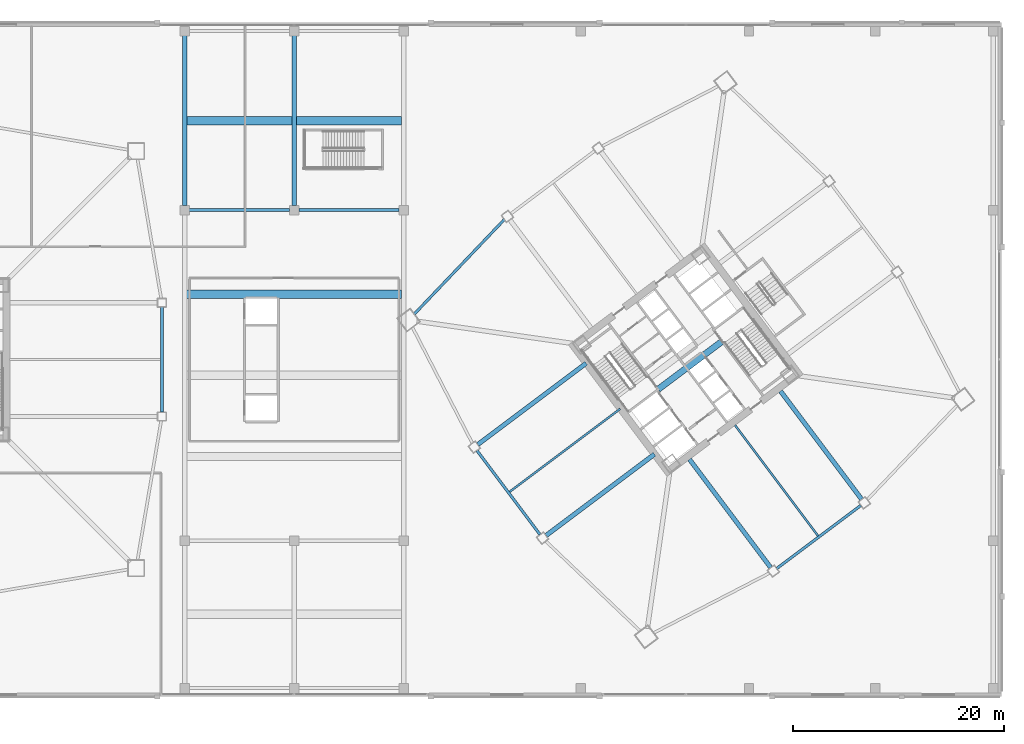
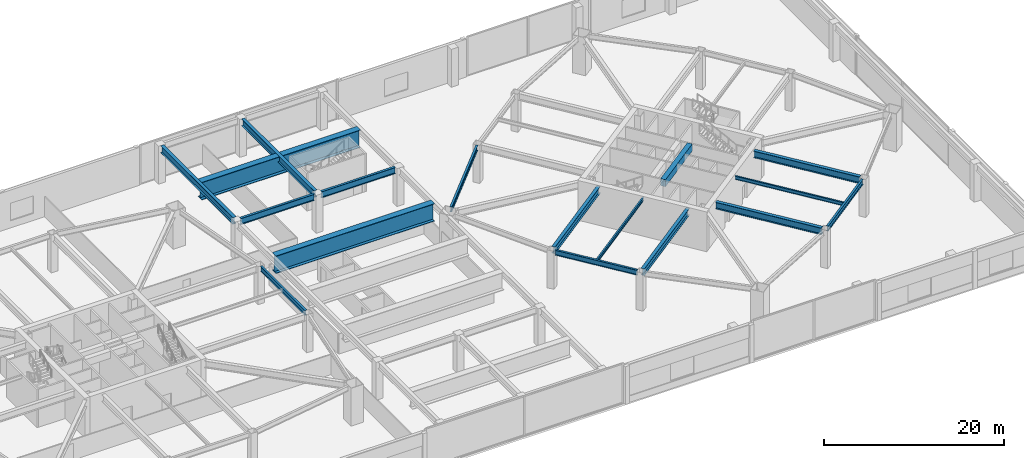
# One storey, part 21 of 48: 17 beams.
"""IFC4 building model written with IfcOpenShell, lengths in metres."""

import ifcopenshell
import ifcopenshell.guid

model = None  # the IFC model being written
_history = None  # IfcOwnerHistory: only IFC2X3 demands one
_inside = {}  # id of a spatial element -> (the spatial element, [elements in it])
_under = {}  # id of a project, library or spatial element -> (it, [spatial elements below it])
_declared = {}  # id of a project -> (the project, [libraries it declares])
_typed = {}  # id of a type object -> (the type object, [elements of that type])
_made_of = {}  # id of a material, layer set ... -> (it, [elements and type objects made of it])


def new_model(schema):
    """Start an empty IFC model of exactly this schema.

    Asked for "IFC4X3", IfcOpenShell would pick the latest addendum, in which some entities
    have other attributes; the version numbers below select the first issue.
    IFC2X3 requires an IfcOwnerHistory on every rooted entity: one is made here for all.
    """
    global model, _history
    if schema == "IFC4X3":
        model = ifcopenshell.file(schema_version=(4, 3, 0, 0))
    else:
        model = ifcopenshell.file(schema=schema)
    _inside.clear()
    _under.clear()
    _declared.clear()
    _typed.clear()
    _made_of.clear()
    _history = None
    if model.schema == "IFC2X3":
        org = make("IfcOrganization", Name="unknown")
        user = make(
            "IfcPersonAndOrganization",
            ThePerson=make("IfcPerson", FamilyName="unknown"),
            TheOrganization=org,
        )
        app = make(
            "IfcApplication",
            ApplicationDeveloper=org,
            Version="unknown",
            ApplicationFullName="unknown",
            ApplicationIdentifier="unknown",
        )
        _history = make(
            "IfcOwnerHistory",
            OwningUser=user,
            OwningApplication=app,
            ChangeAction="ADDED",
            CreationDate=0,
        )
    return model


def make(cls, **values):
    """One entity of the class cls with the attributes given. An attribute that is None is left unset."""
    return model.create_entity(
        cls, **{name: value for name, value in values.items() if value is not None}
    )


def rooted(cls, **values):
    """An entity with a GlobalId (a new one), such as an element, a storey or a relation."""
    return make(cls, GlobalId=ifcopenshell.guid.new(), OwnerHistory=_history, **values)


def si_unit(unit_type, name, prefix=None):
    """IfcSIUnit, for example si_unit("LENGTHUNIT", "METRE", prefix="MILLI")."""
    return make("IfcSIUnit", UnitType=unit_type, Prefix=prefix, Name=name)


def assignment(units):
    """IfcUnitAssignment: the units of a project."""
    return None if units is None else make("IfcUnitAssignment", Units=units)


def point(xyz):
    """IfcCartesianPoint."""
    return None if xyz is None else make("IfcCartesianPoint", Coordinates=xyz)


def direction(xyz):
    """IfcDirection."""
    return None if xyz is None else make("IfcDirection", DirectionRatios=xyz)


def frame(location, z_axis=None, x_axis=None):
    """IfcAxis2Placement3D, a coordinate frame: its origin and axes. An axis left out is left unset."""
    return make(
        "IfcAxis2Placement3D",
        Location=point(location),
        Axis=direction(z_axis),
        RefDirection=direction(x_axis),
    )


def frame_2d(location, x_axis=None):
    """IfcAxis2Placement2D, a coordinate frame in the plane: its origin and x axis."""
    return make(
        "IfcAxis2Placement2D", Location=point(location), RefDirection=direction(x_axis)
    )


def origin():
    """The frame at (0, 0, 0) with its axes left unset."""
    return frame((0.0, 0.0, 0.0))


def origin_2d():
    """The frame at (0, 0) in the plane with its x axis left unset."""
    return frame_2d((0.0, 0.0))


def place(relative_to, where):
    """IfcLocalPlacement: puts the frame where relative to a parent placement (None: the world)."""
    return make(
        "IfcLocalPlacement", PlacementRelTo=relative_to, RelativePlacement=where
    )


def context(
    kind, dimensions, precision=None, world=None, true_north=None, identifier=None
):
    """IfcGeometricRepresentationContext, for example the 3D "Model" context."""
    return make(
        "IfcGeometricRepresentationContext",
        ContextIdentifier=identifier,
        ContextType=kind,
        CoordinateSpaceDimension=dimensions,
        Precision=precision,
        WorldCoordinateSystem=world,
        TrueNorth=true_north,
    )


def subcontext(parent, identifier, kind, view, scale=None):
    """IfcGeometricRepresentationSubContext, for example "Body" below "Model"."""
    return make(
        "IfcGeometricRepresentationSubContext",
        ContextIdentifier=identifier,
        ContextType=kind,
        ParentContext=parent,
        TargetScale=scale,
        TargetView=view,
    )


def project(units=None, contexts=None):
    """IfcProject with its units and contexts."""
    return rooted(
        "IfcProject",
        Name="project",
        RepresentationContexts=contexts,
        UnitsInContext=assignment(units),
    )


def spatial(cls, under=None, at=None, **own):
    """A site, building, storey or space (cls), placed at a placement, below another one or the project."""
    s = rooted(cls, ObjectPlacement=at, **own)
    if under is not None:
        _under.setdefault(under.id(), (under, []))[1].append(s)
    return s


def profile(cls, at=None, kind="AREA", **sizes):
    """A parametric profile (cls). Its sizes go by their IFC names, for example OverallWidth=200.0."""
    return make(cls, ProfileType=kind, Position=at, **sizes)


def rectangle(**sizes):
    """IfcRectangleProfileDef."""
    return profile("IfcRectangleProfileDef", **sizes)


def i_section(**sizes):
    """IfcIShapeProfileDef."""
    return profile("IfcIShapeProfileDef", **sizes)


def extrude(swept, where, along, depth):
    """IfcExtrudedAreaSolid: the profile swept, set in the frame where, extruded along a direction by depth."""
    return make(
        "IfcExtrudedAreaSolid",
        SweptArea=swept,
        Position=where,
        ExtrudedDirection=direction(along),
        Depth=depth,
    )


def shape(context_of_items, identifier, shape_type, items):
    """IfcShapeRepresentation: the items that make up one representation, for example the "Body"."""
    return make(
        "IfcShapeRepresentation",
        ContextOfItems=context_of_items,
        RepresentationIdentifier=identifier,
        RepresentationType=shape_type,
        Items=items,
    )


def material(Name=None, Category=None):
    """IfcMaterial."""
    return make("IfcMaterial", Name=Name, Category=Category)


def material_profile(
    of_material, cross_section, Name=None, Category=None, Priority=None
):
    """IfcMaterialProfile: a cross section and its material."""
    return make(
        "IfcMaterialProfile",
        Name=Name,
        Material=of_material,
        Profile=cross_section,
        Priority=Priority,
        Category=Category,
    )


def profile_set(profiles, Name=None, composite=None):
    """IfcMaterialProfileSet."""
    return make(
        "IfcMaterialProfileSet",
        Name=Name,
        MaterialProfiles=profiles,
        CompositeProfile=composite,
    )


def made_of(thing, what):
    """Note that an element or type object is made of a material, layer set ...; save() writes the relation."""
    if what is not None:
        _made_of.setdefault(what.id(), (what, []))[1].append(thing)
    return thing


def type_object(cls, material=None, **own):
    """A type object (cls), such as IfcWallType, which elements share."""
    return made_of(rooted(cls, **own), material)


def element(
    cls,
    number,
    at=None,
    inside=None,
    cuts=None,
    type_object=None,
    material=None,
    context=None,
    identifier="Body",
    shape_type=None,
    held_by="IfcProductDefinitionShape",
    body=None,
    shapes=None,
    **own,
):
    """One element of the class cls, such as IfcWall. Its Tag is "e" and its number.

    at: its placement. inside: the storey or other place that contains it. cuts: it is an
    opening in that element (IfcRelVoidsElement). A single representation is given by context,
    identifier, shape_type and body (its items); several are given by shapes. held_by: the class
    of the entity that holds the representations. save() writes the other relations.
    """
    e = rooted(cls, Tag="e%d" % number, ObjectPlacement=at, **own)
    if body is not None:
        shapes = [shape(context, identifier, shape_type, body)]
    if shapes is not None:
        e.Representation = make(held_by, Representations=shapes)
    if inside is not None:
        _inside.setdefault(inside.id(), (inside, []))[1].append(e)
    if cuts is not None:
        rooted(
            "IfcRelVoidsElement", RelatingBuildingElement=cuts, RelatedOpeningElement=e
        )
    if type_object is not None:
        _typed.setdefault(type_object.id(), (type_object, []))[1].append(e)
    return made_of(e, material)


def aggregate(whole, parts):
    """IfcRelAggregates: a whole, such as a stair, and the parts it consists of."""
    return rooted("IfcRelAggregates", RelatingObject=whole, RelatedObjects=parts)


def save(model, path):
    """Write the relations noted so far, then the file.

    IfcRelAggregates (storeys below a building ...), IfcRelContainedInSpatialStructure (elements
    in a storey), IfcRelDefinesByType, IfcRelAssociatesMaterial and IfcRelDeclares: one each for
    every whole, place, type object, material and project.
    """
    for whole, parts in _under.values():
        aggregate(whole, parts)
    for where, things in _inside.values():
        rooted(
            "IfcRelContainedInSpatialStructure",
            RelatedElements=things,
            RelatingStructure=where,
        )
    for kind, things in _typed.values():
        rooted("IfcRelDefinesByType", RelatedObjects=things, RelatingType=kind)
    for what, things in _made_of.values():
        rooted("IfcRelAssociatesMaterial", RelatedObjects=things, RelatingMaterial=what)
    for by, libraries in _declared.values():
        rooted("IfcRelDeclares", RelatingContext=by, RelatedDefinitions=libraries)
    model.write(path)


model = new_model("IFC4")

# Units and contexts
model_context = context("Model", 3, precision=1e-05, world=origin(), true_north=direction((0.0, 1.0)))
body_context = subcontext(model_context, "Body", "Model", "MODEL_VIEW")
ifc_project = project(units=[si_unit("LENGTHUNIT", "METRE"), si_unit("AREAUNIT", "SQUARE_METRE"), si_unit("VOLUMEUNIT", "CUBIC_METRE"), si_unit("PLANEANGLEUNIT", "RADIAN"), si_unit("MASSUNIT", "GRAM", prefix="KILO")], contexts=[model_context])

# Site, building, storey
site_placement = place(None, origin())
site = spatial("IfcSite", under=ifc_project, at=site_placement, CompositionType="ELEMENT")
building_placement = place(site_placement, origin())
building = spatial("IfcBuilding", under=site, at=building_placement, Name="Tashvorn Skyway Center", CompositionType="ELEMENT")
storey_placement = place(building_placement, frame((0.0, 0.0, 10.199951171875)))
storey = spatial("IfcBuildingStorey", under=building, at=storey_placement, Name="L02", CompositionType="ELEMENT", Elevation=10.199951171875)

# Beams
ifc_material_1 = material(Name="Steel ASTM A572 Grade 50", Category="steel")
ifc_material_profile_1 = material_profile(ifc_material_1, i_section(OverallWidth=0.800048828125, OverallDepth=2.39990234375, WebThickness=0.035888671875, FlangeThickness=0.06005859375, at=origin_2d()), Name="PG2400x800")
ifc_profile_set_1 = profile_set([ifc_material_profile_1], Name="Steel ASTM A572 Grade 50")
beam_type_1 = type_object("IfcBeamType", Name="BM-BEAM-PG2400x800", PredefinedType="BEAM", material=ifc_profile_set_1)
for number, where, z_axis, x_axis, name in (
    (1, (66.6015625, 38.199951171875, 3.93994140625), (1.0, 0.0, 0.0), (0.0, 1.0, 0.0), "L02 Central Concourse Span Girder 06"),
    (2, (66.6015625, 54.699951171875, 3.93994140625), (1.0, 0.0, 0.0), (0.0, 1.0, 0.0), "L02 Central Concourse Span Girder 08"),
):
    element("IfcBeam", number, at=place(storey_placement, frame(where, z_axis=z_axis, x_axis=x_axis)), inside=storey, type_object=beam_type_1, Name=name, PredefinedType="BEAM", context=body_context, shape_type="SweptSolid", body=[
        extrude(i_section(OverallWidth=0.800048828125, OverallDepth=2.39990234375, WebThickness=0.035888671875, FlangeThickness=0.06005859375, at=origin_2d()), origin(), (0.0, 0.0, 1.0), 20.39697265625),
    ])
ifc_material_2 = material(Name="Steel ASTM A992 Grade 50", Category="steel")
ifc_material_profile_2 = material_profile(ifc_material_2, i_section(OverallWidth=0.2919921875, OverallDepth=0.85888671875, WebThickness=0.01708984375, FlangeThickness=0.031005859375, at=origin_2d()), Name="W33X169")
ifc_profile_set_2 = profile_set([ifc_material_profile_2], Name="Steel ASTM A992 Grade 50")
beam_type_2 = type_object("IfcBeamType", Name="BM-BEAM-W33X169", PredefinedType="BEAM", material=ifc_profile_set_2)
beam_1_placement = place(storey_placement, frame((66.844970703125, 46.199951171875, 4.71044921875), z_axis=(1.0, 0.0, 0.0), x_axis=(0.0, 1.0, 0.0)))
element("IfcBeam", 3, at=beam_1_placement, inside=storey, type_object=beam_type_2, Name="L02 Central Podium Girder A 07", PredefinedType="BEAM", context=body_context, shape_type="SweptSolid", body=[
    extrude(i_section(OverallWidth=0.2919921875, OverallDepth=0.85888671875, WebThickness=0.01708984375, FlangeThickness=0.031005859375, at=origin_2d()), origin(), (0.0, 0.0, 1.0), 9.510009765625),
])
beam_2_placement = place(storey_placement, frame((77.2451171875, 46.199951171875, 4.71044921875), z_axis=(1.0, 0.0, 0.0), x_axis=(0.0, 1.0, 0.0)))
element("IfcBeam", 4, at=beam_2_placement, inside=storey, type_object=beam_type_2, Name="L02 Central Podium Girder B 07", PredefinedType="BEAM", context=body_context, shape_type="SweptSolid", body=[
    extrude(i_section(OverallWidth=0.2919921875, OverallDepth=0.85888671875, WebThickness=0.01708984375, FlangeThickness=0.031005859375, at=origin_2d()), origin(), (0.0, 0.0, 1.0), 9.509765625),
])
ifc_material_3 = material(Name="Steel ASTM A913 Grade 65", Category="steel")
ifc_material_profile_3 = material_profile(ifc_material_3, i_section(OverallWidth=0.4189453125, OverallDepth=0.927001953125, WebThickness=0.019287109375, FlangeThickness=0.031982421875, at=origin_2d()), Name="W36X231")
ifc_profile_set_3 = profile_set([ifc_material_profile_3], Name="Steel ASTM A913 Grade 65")
beam_type_3 = type_object("IfcBeamType", Name="BM-BEAM-W36X231", PredefinedType="BEAM", material=ifc_profile_set_3)
beam_3_placement = place(storey_placement, frame((122.05810546875, 12.256103515625, 4.676513671875), z_axis=(-0.600018239213, 0.799986320265, 0.0), x_axis=(-0.799986320265, -0.600018239213, 0.0)))
element("IfcBeam", 5, at=beam_3_placement, inside=storey, type_object=beam_type_3, Name="Tower 2 L02 Primary Floor Girder FC-S1", PredefinedType="BEAM", context=body_context, shape_type="SweptSolid", body=[
    extrude(i_section(OverallWidth=0.4189453125, OverallDepth=0.927001953125, WebThickness=0.019287109375, FlangeThickness=0.031982421875, at=origin_2d()), origin(), (0.0, 0.0, 1.0), 12.849853515625),
])
beam_4_placement = place(storey_placement, frame((130.697998046875, 18.736083984375, 4.676513671875), z_axis=(-0.599996960112, 0.800002279907, 0.0), x_axis=(-0.800002279907, -0.599996960112, 0.0)))
element("IfcBeam", 6, at=beam_4_placement, inside=storey, type_object=beam_type_3, Name="Tower 2 L02 Primary Floor Girder FC-S2", PredefinedType="BEAM", context=body_context, shape_type="SweptSolid", body=[
    extrude(i_section(OverallWidth=0.4189453125, OverallDepth=0.927001953125, WebThickness=0.019287109375, FlangeThickness=0.031982421875, at=origin_2d()), origin(), (0.0, 0.0, 1.0), 12.85009765625),
])
beam_5_placement = place(storey_placement, frame((94.256103515625, 23.94189453125, 4.676513671875), z_axis=(0.799986320265, 0.600018239213, 0.0), x_axis=(-0.600018239213, 0.799986320265, 0.0)))
element("IfcBeam", 7, at=beam_5_placement, inside=storey, type_object=beam_type_3, Name="Tower 2 L02 Primary Floor Girder FC-W1", PredefinedType="BEAM", context=body_context, shape_type="SweptSolid", body=[
    extrude(i_section(OverallWidth=0.4189453125, OverallDepth=0.927001953125, WebThickness=0.019287109375, FlangeThickness=0.031982421875, at=origin_2d()), origin(), (0.0, 0.0, 1.0), 12.849853515625),
])
beam_6_placement = place(storey_placement, frame((100.736083984375, 15.302001953125, 4.676513671875), z_axis=(0.800002279907, 0.599996960112, 0.0), x_axis=(-0.599996960112, 0.800002279907, 0.0)))
element("IfcBeam", 8, at=beam_6_placement, inside=storey, type_object=beam_type_3, Name="Tower 2 L02 Primary Floor Girder FC-W2", PredefinedType="BEAM", context=body_context, shape_type="SweptSolid", body=[
    extrude(i_section(OverallWidth=0.4189453125, OverallDepth=0.927001953125, WebThickness=0.019287109375, FlangeThickness=0.031982421875, at=origin_2d()), origin(), (0.0, 0.0, 1.0), 12.85009765625),
])
for number, where, z_axis, x_axis, name in (
    (9, (66.39990234375, 46.64501953125, 4.676513671875), (0.0, 1.0, 0.0), (-1.0, 0.0, 0.0), "L02 North-South Podium Girder 03-N"),
    (10, (76.800048828125, 46.64501953125, 4.676513671875), (0.0, 1.0, 0.0), (-1.0, 0.0, 0.0), "L02 North-South Podium Girder 04-N"),
):
    element("IfcBeam", number, at=place(storey_placement, frame(where, z_axis=z_axis, x_axis=x_axis)), inside=storey, type_object=beam_type_3, Name=name, PredefinedType="BEAM", context=body_context, shape_type="SweptSolid", body=[
        extrude(i_section(OverallWidth=0.4189453125, OverallDepth=0.927001953125, WebThickness=0.019287109375, FlangeThickness=0.031982421875, at=origin_2d()), origin(), (0.0, 0.0, 1.0), 16.10986328125),
    ])
ifc_material_profile_4 = material_profile(ifc_material_2, i_section(OverallWidth=0.19091796875, OverallDepth=0.4599609375, WebThickness=0.010009765625, FlangeThickness=0.01611328125, at=origin_2d()), Name="W18X55")
ifc_profile_set_4 = profile_set([ifc_material_profile_4], Name="Steel ASTM A992 Grade 50")
beam_type_4 = type_object("IfcBeamType", Name="BM-JOIST-W18X55", PredefinedType="JOIST", material=ifc_profile_set_4)
for number, where, z_axis, x_axis, name in (
    (11, (118.674072265625, 25.76806640625, 4.91015625), (0.600002972791, -0.799997770398, 0.0), (0.799997770398, 0.600002972791, 0.0), "Tower 2 L02 Secondary Composite Joist JS"),
    (12, (107.76806640625, 27.325927734375, 4.91015625), (-0.799997770398, -0.600002972791, 0.0), (0.600002972791, -0.799997770398, 0.0), "Tower 2 L02 Secondary Composite Joist JW"),
):
    element("IfcBeam", number, at=place(storey_placement, frame(where, z_axis=z_axis, x_axis=x_axis)), inside=storey, type_object=beam_type_4, Name=name, PredefinedType="JOIST", context=body_context, shape_type="SweptSolid", body=[
        extrude(i_section(OverallWidth=0.19091796875, OverallDepth=0.4599609375, WebThickness=0.010009765625, FlangeThickness=0.01611328125, at=origin_2d()), origin(), (0.0, 0.0, 1.0), 13.139892578125),
    ])
ifc_material_4 = material(Name="Concrete C60/75", Category="concrete")
ifc_material_profile_5 = material_profile(ifc_material_4, rectangle(XDim=0.60009765625, YDim=0.949951171875, at=origin_2d()), Name="RCB600x950")
ifc_profile_set_5 = profile_set([ifc_material_profile_5], Name="Concrete C60/75")
beam_type_5 = type_object("IfcBeamType", Name="BM-LINTEL-RCB600x950", PredefinedType="LINTEL", material=ifc_profile_set_5)
beam_7_placement = place(storey_placement, frame((111.367919921875, 29.176025390625, 4.6650390625), z_axis=(0.8, 0.6, 0.0), x_axis=(-0.6, 0.8, 0.0)))
element("IfcBeam", 13, at=beam_7_placement, inside=storey, type_object=beam_type_5, Name="Tower 2 L02 Core Coupling Beam CS", PredefinedType="LINTEL", context=body_context, shape_type="SweptSolid", body=[
    extrude(rectangle(XDim=0.60009765625, YDim=0.949951171875, at=origin_2d()), origin(), (0.0, 0.0, 1.0), 7.60009765625),
])
ifc_material_profile_6 = material_profile(ifc_material_2, i_section(OverallWidth=0.256103515625, OverallDepth=0.693115234375, WebThickness=0.014404296875, FlangeThickness=0.023681640625, at=origin_2d()), Name="W27X114")
ifc_profile_set_6 = profile_set([ifc_material_profile_6], Name="Steel ASTM A992 Grade 50")
beam_type_6 = type_object("IfcBeamType", Name="BM-SPANDREL-W27X114", PredefinedType="SPANDREL", material=ifc_profile_set_6)
for number, where, z_axis, x_axis, name in (
    (14, (64.25, 27.02001953125, 4.79345703125), (0.0, 1.0, 0.0), (-1.0, 0.0, 0.0), "Tower 1 L02 Spandrel Beam 05"),
    (15, (122.64599609375, 12.172119140625, 4.79345703125), (0.800008824351, 0.599988234018, 0.0), (-0.599988234018, 0.800008824351, 0.0), "Tower 2 L02 Spandrel Beam 02"),
):
    element("IfcBeam", number, at=place(storey_placement, frame(where, z_axis=z_axis, x_axis=x_axis)), inside=storey, type_object=beam_type_6, Name=name, PredefinedType="SPANDREL", context=body_context, shape_type="SweptSolid", body=[
        extrude(i_section(OverallWidth=0.256103515625, OverallDepth=0.693115234375, WebThickness=0.014404296875, FlangeThickness=0.023681640625, at=origin_2d()), origin(), (0.0, 0.0, 1.0), 9.9599609375),
    ])
beam_8_placement = place(storey_placement, frame((96.76025390625, 45.2958984375, 4.79345703125), z_axis=(-0.689589637236, -0.724200339835, 0.0), x_axis=(0.724200339835, -0.689589637236, 0.0)))
element("IfcBeam", 16, at=beam_8_placement, inside=storey, type_object=beam_type_6, Name="Tower 2 L02 Spandrel Beam 09", PredefinedType="SPANDREL", context=body_context, shape_type="SweptSolid", body=[
    extrude(i_section(OverallWidth=0.256103515625, OverallDepth=0.693115234375, WebThickness=0.014404296875, FlangeThickness=0.023681640625, at=origin_2d()), origin(), (0.0, 0.0, 1.0), 12.37255859375),
])
beam_9_placement = place(storey_placement, frame((94.172119140625, 23.35400390625, 4.79345703125), z_axis=(0.599988234018, -0.800008824351, 0.0), x_axis=(0.800008824351, 0.599988234018, 0.0)))
element("IfcBeam", 17, at=beam_9_placement, inside=storey, type_object=beam_type_6, Name="Tower 2 L02 Spandrel Beam 11", PredefinedType="SPANDREL", context=body_context, shape_type="SweptSolid", body=[
    extrude(i_section(OverallWidth=0.256103515625, OverallDepth=0.693115234375, WebThickness=0.014404296875, FlangeThickness=0.023681640625, at=origin_2d()), origin(), (0.0, 0.0, 1.0), 9.9599609375),
])

save(model, "model.ifc")
